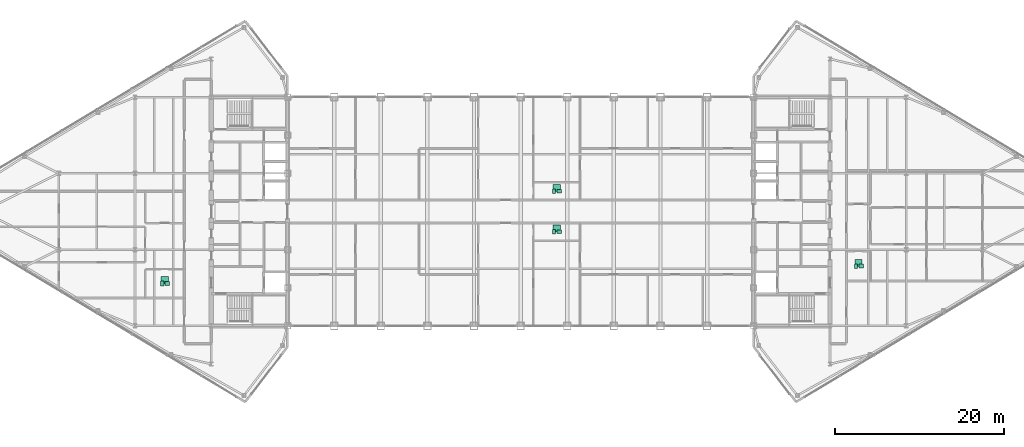
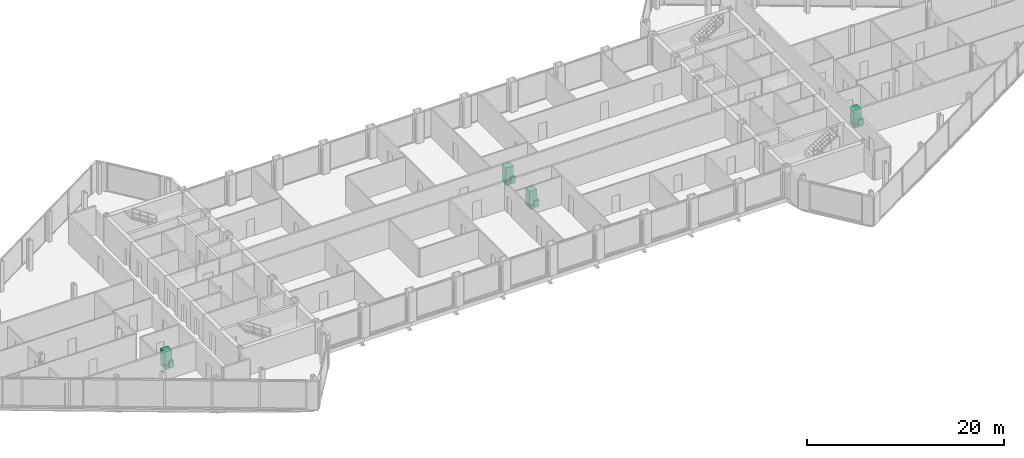
# One storey, part 29 of 29: 12 sanitary terminals.
"""IFC4 building model written with IfcOpenShell, lengths in metres."""

from ifc_helpers import new_model, si_unit, direction, frame, origin, origin_2d, place, context, subcontext, project, spatial, rectangle, extrude, source, transform, mapped, material, type_object, type_shapes, element, save


model = new_model("IFC4")

# Units and contexts
model_context = context("Model", 3, precision=1e-05, world=origin(), true_north=direction((0.0, 1.0)))
body_context = subcontext(model_context, "Body", "Model", "MODEL_VIEW")
ifc_project = project(units=[si_unit("LENGTHUNIT", "METRE"), si_unit("AREAUNIT", "SQUARE_METRE"), si_unit("VOLUMEUNIT", "CUBIC_METRE"), si_unit("PLANEANGLEUNIT", "RADIAN"), si_unit("MASSUNIT", "GRAM", prefix="KILO")], contexts=[model_context])

# Site, building, storey
site_placement = place(None, origin())
site = spatial("IfcSite", under=ifc_project, at=site_placement, CompositionType="ELEMENT")
building_placement = place(site_placement, origin())
building = spatial("IfcBuilding", under=site, at=building_placement, Name="Seokmaru Belvedere", CompositionType="ELEMENT")
storey_placement = place(building_placement, frame((0.0, 0.0, 254.39990234375)))
storey = spatial("IfcBuildingStorey", under=building, at=storey_placement, Name="L67", CompositionType="ELEMENT", Elevation=254.39990234375)

# Sanitary terminals
ifc_material_1 = material(Name="Vitreous China Sanitaryware")
sanitary_terminal_type_1 = type_object("IfcSanitaryTerminalType", Name="Wall-Hung Vitreous China WC Pan", PredefinedType="TOILETPAN", material=ifc_material_1)
shared_shape_1 = source(origin(), body_context, "Body", "SweptSolid", [
    extrude(rectangle(XDim=0.3798828125, YDim=0.56005859375, at=origin_2d()), origin(), (0.0, 0.0, 1.0), 0.419921875),
])
type_shapes(sanitary_terminal_type_1, [shared_shape_1])
for number, where, z_axis, x_axis, name in (
    (1, (-42.300048828125, -8.5, 0.000244140625), (0.0, 0.0, 1.0), (1.0, 0.0, 0.0), "L67 Vitreous China WC 0297"),
    (2, (39.574951171875, -6.446044921875, 0.000244140625), (0.0, 0.0, 1.0), (1.0, 0.0, 0.0), "L67 Vitreous China WC 0298"),
    (3, (3.949951171875, -2.39990234375, 0.000244140625), (0.0, 0.0, 1.0), (1.0, 0.0, 0.0), "L67 Vitreous China WC 0299"),
    (4, (3.949951171875, 2.39990234375, 0.000244140625), (0.0, 0.0, 1.0), (1.0, 0.0, 0.0), "L67 Vitreous China WC 0300"),
):
    element("IfcSanitaryTerminal", number, at=place(storey_placement, frame(where, z_axis=z_axis, x_axis=x_axis)), inside=storey, type_object=sanitary_terminal_type_1, Name=name, PredefinedType="TOILETPAN", context=body_context, shape_type="MappedRepresentation", body=[
        mapped(shared_shape_1, transform((0.0, 0.0, 0.0), scale=1.0)),
    ])
sanitary_terminal_type_2 = type_object("IfcSanitaryTerminalType", Name="Countertop Ceramic Washhand Basin", PredefinedType="WASHHANDBASIN", material=ifc_material_1)
shared_shape_2 = source(origin(), body_context, "Body", "SweptSolid", [
    extrude(rectangle(XDim=0.550048828125, YDim=0.449951171875, at=origin_2d()), origin(), (0.0, 0.0, 1.0), 0.820068359375),
])
type_shapes(sanitary_terminal_type_2, [shared_shape_2])
for number, where, z_axis, x_axis, name in (
    (5, (-41.699951171875, -8.5, 0.0), (0.0, 0.0, 1.0), (1.0, 0.0, 0.0), "L67 Ceramic Washhand Basin 0297"),
    (6, (40.175048828125, -6.446044921875, 0.0), (0.0, 0.0, 1.0), (1.0, 0.0, 0.0), "L67 Ceramic Washhand Basin 0298"),
    (7, (4.550048828125, -2.39990234375, 0.0), (0.0, 0.0, 1.0), (1.0, 0.0, 0.0), "L67 Ceramic Washhand Basin 0299"),
    (8, (4.550048828125, 2.39990234375, 0.0), (0.0, 0.0, 1.0), (1.0, 0.0, 0.0), "L67 Ceramic Washhand Basin 0300"),
):
    element("IfcSanitaryTerminal", number, at=place(storey_placement, frame(where, z_axis=z_axis, x_axis=x_axis)), inside=storey, type_object=sanitary_terminal_type_2, Name=name, PredefinedType="WASHHANDBASIN", context=body_context, shape_type="MappedRepresentation", body=[
        mapped(shared_shape_2, transform((0.0, 0.0, 0.0), scale=1.0)),
    ])
ifc_material_2 = material(Name="Stainless Steel 316", Category="steel")
sanitary_terminal_type_3 = type_object("IfcSanitaryTerminalType", Name="Walk-In Thermostatic Rain Shower Enclosure", PredefinedType="SHOWER", material=ifc_material_2)
shared_shape_3 = source(origin(), body_context, "Body", "SweptSolid", [
    extrude(rectangle(XDim=0.85009765625, YDim=0.85009765625, at=origin_2d()), origin(), (0.0, 0.0, 1.0), 2.050048828125),
])
type_shapes(sanitary_terminal_type_3, [shared_shape_3])
for number, where, z_axis, x_axis, name in (
    (9, (-42.0, -8.1201171875, 0.0), (0.0, 0.0, 1.0), (1.0, 0.0, 0.0), "L67 Walk-In Shower 0297"),
    (10, (39.875, -6.06591796875, 0.0), (0.0, 0.0, 1.0), (1.0, 0.0, 0.0), "L67 Walk-In Shower 0298"),
    (11, (4.25, -2.02001953125, 0.0), (0.0, 0.0, 1.0), (1.0, 0.0, 0.0), "L67 Walk-In Shower 0299"),
    (12, (4.25, 2.780029296875, 0.0), (0.0, 0.0, 1.0), (1.0, 0.0, 0.0), "L67 Walk-In Shower 0300"),
):
    element("IfcSanitaryTerminal", number, at=place(storey_placement, frame(where, z_axis=z_axis, x_axis=x_axis)), inside=storey, type_object=sanitary_terminal_type_3, Name=name, PredefinedType="SHOWER", context=body_context, shape_type="MappedRepresentation", body=[
        mapped(shared_shape_3, transform((0.0, 0.0, 0.0), scale=1.0)),
    ])

save(model, "model.ifc")
